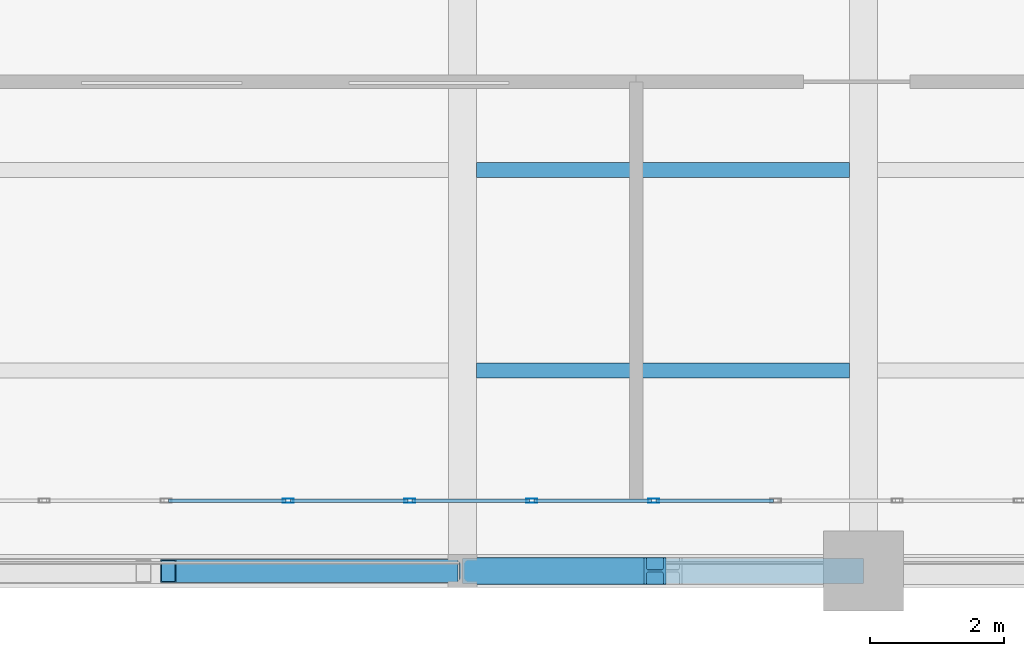
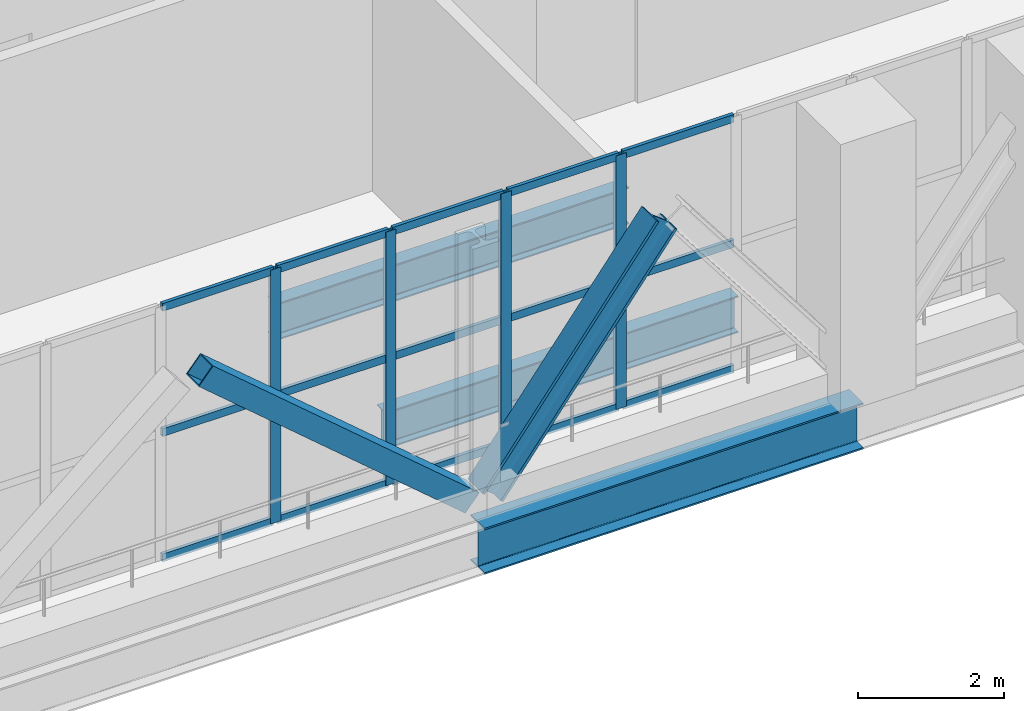
# One storey, part 12 of 27: 21 members, 3 beams, 1 element without a shape of its own.
"""IFC4 building model written with IfcOpenShell, lengths in metres."""

import ifcopenshell
import ifcopenshell.guid

model = None  # the IFC model being written
_history = None  # IfcOwnerHistory: only IFC2X3 demands one
_inside = {}  # id of a spatial element -> (the spatial element, [elements in it])
_under = {}  # id of a project, library or spatial element -> (it, [spatial elements below it])
_declared = {}  # id of a project -> (the project, [libraries it declares])
_typed = {}  # id of a type object -> (the type object, [elements of that type])
_made_of = {}  # id of a material, layer set ... -> (it, [elements and type objects made of it])


def new_model(schema):
    """Start an empty IFC model of exactly this schema.

    Asked for "IFC4X3", IfcOpenShell would pick the latest addendum, in which some entities
    have other attributes; the version numbers below select the first issue.
    IFC2X3 requires an IfcOwnerHistory on every rooted entity: one is made here for all.
    """
    global model, _history
    if schema == "IFC4X3":
        model = ifcopenshell.file(schema_version=(4, 3, 0, 0))
    else:
        model = ifcopenshell.file(schema=schema)
    _inside.clear()
    _under.clear()
    _declared.clear()
    _typed.clear()
    _made_of.clear()
    _history = None
    if model.schema == "IFC2X3":
        org = make("IfcOrganization", Name="unknown")
        user = make(
            "IfcPersonAndOrganization",
            ThePerson=make("IfcPerson", FamilyName="unknown"),
            TheOrganization=org,
        )
        app = make(
            "IfcApplication",
            ApplicationDeveloper=org,
            Version="unknown",
            ApplicationFullName="unknown",
            ApplicationIdentifier="unknown",
        )
        _history = make(
            "IfcOwnerHistory",
            OwningUser=user,
            OwningApplication=app,
            ChangeAction="ADDED",
            CreationDate=0,
        )
    return model


def make(cls, **values):
    """One entity of the class cls with the attributes given. An attribute that is None is left unset."""
    return model.create_entity(
        cls, **{name: value for name, value in values.items() if value is not None}
    )


def rooted(cls, **values):
    """An entity with a GlobalId (a new one), such as an element, a storey or a relation."""
    return make(cls, GlobalId=ifcopenshell.guid.new(), OwnerHistory=_history, **values)


def si_unit(unit_type, name, prefix=None):
    """IfcSIUnit, for example si_unit("LENGTHUNIT", "METRE", prefix="MILLI")."""
    return make("IfcSIUnit", UnitType=unit_type, Prefix=prefix, Name=name)


def assignment(units):
    """IfcUnitAssignment: the units of a project."""
    return None if units is None else make("IfcUnitAssignment", Units=units)


def point(xyz):
    """IfcCartesianPoint."""
    return None if xyz is None else make("IfcCartesianPoint", Coordinates=xyz)


def direction(xyz):
    """IfcDirection."""
    return None if xyz is None else make("IfcDirection", DirectionRatios=xyz)


def frame(location, z_axis=None, x_axis=None):
    """IfcAxis2Placement3D, a coordinate frame: its origin and axes. An axis left out is left unset."""
    return make(
        "IfcAxis2Placement3D",
        Location=point(location),
        Axis=direction(z_axis),
        RefDirection=direction(x_axis),
    )


def frame_2d(location, x_axis=None):
    """IfcAxis2Placement2D, a coordinate frame in the plane: its origin and x axis."""
    return make(
        "IfcAxis2Placement2D", Location=point(location), RefDirection=direction(x_axis)
    )


def origin():
    """The frame at (0, 0, 0) with its axes left unset."""
    return frame((0.0, 0.0, 0.0))


def origin_2d():
    """The frame at (0, 0) in the plane with its x axis left unset."""
    return frame_2d((0.0, 0.0))


def place(relative_to, where):
    """IfcLocalPlacement: puts the frame where relative to a parent placement (None: the world)."""
    return make(
        "IfcLocalPlacement", PlacementRelTo=relative_to, RelativePlacement=where
    )


def context(
    kind, dimensions, precision=None, world=None, true_north=None, identifier=None
):
    """IfcGeometricRepresentationContext, for example the 3D "Model" context."""
    return make(
        "IfcGeometricRepresentationContext",
        ContextIdentifier=identifier,
        ContextType=kind,
        CoordinateSpaceDimension=dimensions,
        Precision=precision,
        WorldCoordinateSystem=world,
        TrueNorth=true_north,
    )


def subcontext(parent, identifier, kind, view, scale=None):
    """IfcGeometricRepresentationSubContext, for example "Body" below "Model"."""
    return make(
        "IfcGeometricRepresentationSubContext",
        ContextIdentifier=identifier,
        ContextType=kind,
        ParentContext=parent,
        TargetScale=scale,
        TargetView=view,
    )


def project(units=None, contexts=None):
    """IfcProject with its units and contexts."""
    return rooted(
        "IfcProject",
        Name="project",
        RepresentationContexts=contexts,
        UnitsInContext=assignment(units),
    )


def spatial(cls, under=None, at=None, **own):
    """A site, building, storey or space (cls), placed at a placement, below another one or the project."""
    s = rooted(cls, ObjectPlacement=at, **own)
    if under is not None:
        _under.setdefault(under.id(), (under, []))[1].append(s)
    return s


def profile(cls, at=None, kind="AREA", **sizes):
    """A parametric profile (cls). Its sizes go by their IFC names, for example OverallWidth=200.0."""
    return make(cls, ProfileType=kind, Position=at, **sizes)


def hollow_rectangle(**sizes):
    """IfcRectangleHollowProfileDef."""
    return profile("IfcRectangleHollowProfileDef", **sizes)


def i_section(**sizes):
    """IfcIShapeProfileDef."""
    return profile("IfcIShapeProfileDef", **sizes)


def extrude(swept, where, along, depth):
    """IfcExtrudedAreaSolid: the profile swept, set in the frame where, extruded along a direction by depth."""
    return make(
        "IfcExtrudedAreaSolid",
        SweptArea=swept,
        Position=where,
        ExtrudedDirection=direction(along),
        Depth=depth,
    )


def shape(context_of_items, identifier, shape_type, items):
    """IfcShapeRepresentation: the items that make up one representation, for example the "Body"."""
    return make(
        "IfcShapeRepresentation",
        ContextOfItems=context_of_items,
        RepresentationIdentifier=identifier,
        RepresentationType=shape_type,
        Items=items,
    )


def material(Name=None, Category=None):
    """IfcMaterial."""
    return make("IfcMaterial", Name=Name, Category=Category)


def layer(
    of_material, thickness, ventilated=None, Name=None, Category=None, Priority=None
):
    """IfcMaterialLayer: one layer of a wall or slab, of a material (None: an air gap)."""
    return make(
        "IfcMaterialLayer",
        Material=of_material,
        LayerThickness=thickness,
        IsVentilated=ventilated,
        Name=Name,
        Category=Category,
        Priority=Priority,
    )


def layer_set(layers, Name=None):
    """IfcMaterialLayerSet."""
    return make("IfcMaterialLayerSet", MaterialLayers=layers, LayerSetName=Name)


def material_profile(
    of_material, cross_section, Name=None, Category=None, Priority=None
):
    """IfcMaterialProfile: a cross section and its material."""
    return make(
        "IfcMaterialProfile",
        Name=Name,
        Material=of_material,
        Profile=cross_section,
        Priority=Priority,
        Category=Category,
    )


def profile_set(profiles, Name=None, composite=None):
    """IfcMaterialProfileSet."""
    return make(
        "IfcMaterialProfileSet",
        Name=Name,
        MaterialProfiles=profiles,
        CompositeProfile=composite,
    )


def made_of(thing, what):
    """Note that an element or type object is made of a material, layer set ...; save() writes the relation."""
    if what is not None:
        _made_of.setdefault(what.id(), (what, []))[1].append(thing)
    return thing


def type_object(cls, material=None, **own):
    """A type object (cls), such as IfcWallType, which elements share."""
    return made_of(rooted(cls, **own), material)


def element(
    cls,
    number,
    at=None,
    inside=None,
    cuts=None,
    type_object=None,
    material=None,
    context=None,
    identifier="Body",
    shape_type=None,
    held_by="IfcProductDefinitionShape",
    body=None,
    shapes=None,
    **own,
):
    """One element of the class cls, such as IfcWall. Its Tag is "e" and its number.

    at: its placement. inside: the storey or other place that contains it. cuts: it is an
    opening in that element (IfcRelVoidsElement). A single representation is given by context,
    identifier, shape_type and body (its items); several are given by shapes. held_by: the class
    of the entity that holds the representations. save() writes the other relations.
    """
    e = rooted(cls, Tag="e%d" % number, ObjectPlacement=at, **own)
    if body is not None:
        shapes = [shape(context, identifier, shape_type, body)]
    if shapes is not None:
        e.Representation = make(held_by, Representations=shapes)
    if inside is not None:
        _inside.setdefault(inside.id(), (inside, []))[1].append(e)
    if cuts is not None:
        rooted(
            "IfcRelVoidsElement", RelatingBuildingElement=cuts, RelatedOpeningElement=e
        )
    if type_object is not None:
        _typed.setdefault(type_object.id(), (type_object, []))[1].append(e)
    return made_of(e, material)


def aggregate(whole, parts):
    """IfcRelAggregates: a whole, such as a stair, and the parts it consists of."""
    return rooted("IfcRelAggregates", RelatingObject=whole, RelatedObjects=parts)


def save(model, path):
    """Write the relations noted so far, then the file.

    IfcRelAggregates (storeys below a building ...), IfcRelContainedInSpatialStructure (elements
    in a storey), IfcRelDefinesByType, IfcRelAssociatesMaterial and IfcRelDeclares: one each for
    every whole, place, type object, material and project.
    """
    for whole, parts in _under.values():
        aggregate(whole, parts)
    for where, things in _inside.values():
        rooted(
            "IfcRelContainedInSpatialStructure",
            RelatedElements=things,
            RelatingStructure=where,
        )
    for kind, things in _typed.values():
        rooted("IfcRelDefinesByType", RelatedObjects=things, RelatingType=kind)
    for what, things in _made_of.values():
        rooted("IfcRelAssociatesMaterial", RelatedObjects=things, RelatingMaterial=what)
    for by, libraries in _declared.values():
        rooted("IfcRelDeclares", RelatingContext=by, RelatedDefinitions=libraries)
    model.write(path)


model = new_model("IFC4")

# Units and contexts
model_context = context("Model", 3, precision=1e-05, world=origin(), true_north=direction((0.0, 1.0)))
body_context = subcontext(model_context, "Body", "Model", "MODEL_VIEW")
ifc_project = project(units=[si_unit("LENGTHUNIT", "METRE"), si_unit("AREAUNIT", "SQUARE_METRE"), si_unit("VOLUMEUNIT", "CUBIC_METRE"), si_unit("PLANEANGLEUNIT", "RADIAN"), si_unit("MASSUNIT", "GRAM", prefix="KILO")], contexts=[model_context])

# Site, building, storey
site_placement = place(None, origin())
site = spatial("IfcSite", under=ifc_project, at=site_placement, CompositionType="ELEMENT")
building_placement = place(site_placement, origin())
building = spatial("IfcBuilding", under=site, at=building_placement, Name="Mawjdan Bourse Tower", CompositionType="ELEMENT")
storey_placement = place(building_placement, frame((0.0, 0.0, 84.60009765625)))
storey = spatial("IfcBuildingStorey", under=building, at=storey_placement, Name="L19", CompositionType="ELEMENT", Elevation=84.60009765625)

# Members
ifc_material_1 = material(Name="Structural Steel S460", Category="steel")
ifc_material_profile_1 = material_profile(ifc_material_1, hollow_rectangle(XDim=0.35009765625, YDim=0.35009765625, WallThickness=0.01611328125, at=origin_2d()), Name="HSS350X350X16")
ifc_profile_set_1 = profile_set([ifc_material_profile_1], Name="Structural Steel S460")
member_type_1 = type_object("IfcMemberType", Name="BRC-HSS350X350X16", PredefinedType="BRACE", material=ifc_profile_set_1)
member_1_placement = place(storey_placement, frame((37.595947265625, 3.0, 3.7998046875), z_axis=(0.760829478047, 0.0, -0.648951851322), x_axis=(0.0, 1.0, 0.0)))
element("IfcMember", 1, at=member_1_placement, inside=storey, type_object=member_type_1, Name="L19 East Outrigger Truss 1 Diagonal 4", PredefinedType="BRACE", context=body_context, shape_type="SweptSolid", body=[
    extrude(hollow_rectangle(XDim=0.35009765625, YDim=0.35009765625, WallThickness=0.01611328125, at=origin_2d()), origin(), (0.0, 0.0, 1.0), 5.547119140625),
])
ifc_material_profile_2 = material_profile(ifc_material_1, i_section(OverallWidth=0.406005859375, OverallDepth=0.416015625, WebThickness=0.02978515625, FlangeThickness=0.048095703125, FilletRadius=0.038330078125, at=origin_2d()), Name="W14X257")
ifc_profile_set_2 = profile_set([ifc_material_profile_2], Name="Structural Steel S460")
member_type_2 = type_object("IfcMemberType", Name="BRC-W14X257", PredefinedType="BRACE", material=ifc_profile_set_2)
member_2_placement = place(storey_placement, frame((42.1201171875, 3.0, 0.199951171875), z_axis=(0.608414594375, 0.0, 0.793619355454), x_axis=(0.0, 1.0, 0.0)))
element("IfcMember", 2, at=member_2_placement, inside=storey, type_object=member_type_2, Name="L19 South Perimeter Belt Truss Diagonal 1", PredefinedType="BRACE", context=body_context, shape_type="SweptSolid", body=[
    extrude(i_section(OverallWidth=0.406005859375, OverallDepth=0.416015625, WebThickness=0.02978515625, FlangeThickness=0.048095703125, FilletRadius=0.038330078125, at=origin_2d()), origin(), (0.0, 0.0, 1.0), 4.535888671875),
])

# Beams
ifc_material_2 = material(Name="Structural Steel S355", Category="steel")
ifc_material_profile_3 = material_profile(ifc_material_2, i_section(OverallWidth=0.22998046875, OverallDepth=0.616943359375, WebThickness=0.01318359375, FlangeThickness=0.022216796875, FilletRadius=0.017822265625, at=origin_2d()), Name="W24X94")
ifc_profile_set_3 = profile_set([ifc_material_profile_3], Name="Structural Steel S355")
beam_type_1 = type_object("IfcBeamType", Name="JST-W24X94", PredefinedType="JOIST", material=ifc_profile_set_3)
for number, where, z_axis, x_axis, name in (
    (3, (42.20703125, 6.0, -0.588623046875), (1.0, 0.0, 0.0), (0.0, 1.0, 0.0), "L19 East Wing Composite Joist 025"),
    (4, (42.20703125, 9.0, -0.588623046875), (1.0, 0.0, 0.0), (0.0, 1.0, 0.0), "L19 East Wing Composite Joist 032"),
):
    element("IfcBeam", number, at=place(storey_placement, frame(where, z_axis=z_axis, x_axis=x_axis)), inside=storey, type_object=beam_type_1, Name=name, PredefinedType="JOIST", context=body_context, shape_type="SweptSolid", body=[
        extrude(i_section(OverallWidth=0.22998046875, OverallDepth=0.616943359375, WebThickness=0.01318359375, FlangeThickness=0.022216796875, FilletRadius=0.017822265625, at=origin_2d()), origin(), (0.0, 0.0, 1.0), 5.5859375),
    ])

# Curtain wall, members
ifc_material_3 = material(Name="Thermally Broken Aluminium and Solar Glass", Category="aluminium")
ifc_layer = layer(ifc_material_3, 0.219970703125)
ifc_layer_set = layer_set([ifc_layer], Name="Thermally Broken Aluminium and Solar Glass")
curtain_wall_type = type_object("IfcCurtainWallType", Name="CW-RFG", PredefinedType="USERDEFINED", material=ifc_layer_set)
curtain_wall_placement = place(storey_placement, origin())
curtain_wall = element("IfcCurtainWall", 5, at=curtain_wall_placement, inside=storey, type_object=curtain_wall_type, Name="L19 Refuge Band South Louvre Curtain Wall", ObjectType="REFUGE BAND LOUVRE SCREEN", PredefinedType="USERDEFINED")
ifc_material_4 = material(Name="Thermally Broken Anodised Aluminium", Category="aluminium")
ifc_material_profile_4 = material_profile(ifc_material_4, hollow_rectangle(XDim=0.06494140625, YDim=0.1650390625, WallThickness=0.00390625, at=origin_2d()), Name="ALU-MUL-165X65")
ifc_profile_set_4 = profile_set([ifc_material_profile_4], Name="Thermally Broken Anodised Aluminium")
member_type_3 = type_object("IfcMemberType", Name="MUL-ALU-MUL-165X65", PredefinedType="MULLION", material=ifc_profile_set_4)
member_3_placement = place(storey_placement, frame((39.390380859375, 4.050048828125, 0.0), z_axis=(0.0, 0.0, 1.0), x_axis=(0.0, 1.0, 0.0)))
member_3 = element("IfcMember", 6, at=member_3_placement, type_object=member_type_3, Name="CW-RFG-L19-RFG-S mullion 9", PredefinedType="MULLION", context=body_context, shape_type="SweptSolid", body=[
    extrude(hollow_rectangle(XDim=0.06494140625, YDim=0.1650390625, WallThickness=0.00390625, at=origin_2d()), origin(), (0.0, 0.0, 1.0), 4.25),
])
member_4_placement = place(storey_placement, frame((41.21435546875, 4.050048828125, 0.0), z_axis=(0.0, 0.0, 1.0), x_axis=(0.0, 1.0, 0.0)))
member_4 = element("IfcMember", 7, at=member_4_placement, type_object=member_type_3, Name="CW-RFG-L19-RFG-S mullion 10", PredefinedType="MULLION", context=body_context, shape_type="SweptSolid", body=[
    extrude(hollow_rectangle(XDim=0.06494140625, YDim=0.1650390625, WallThickness=0.00390625, at=origin_2d()), origin(), (0.0, 0.0, 1.0), 4.25),
])
member_5_placement = place(storey_placement, frame((43.0380859375, 4.050048828125, 0.0), z_axis=(0.0, 0.0, 1.0), x_axis=(0.0, 1.0, 0.0)))
member_5 = element("IfcMember", 8, at=member_5_placement, type_object=member_type_3, Name="CW-RFG-L19-RFG-S mullion 11", PredefinedType="MULLION", context=body_context, shape_type="SweptSolid", body=[
    extrude(hollow_rectangle(XDim=0.06494140625, YDim=0.1650390625, WallThickness=0.00390625, at=origin_2d()), origin(), (0.0, 0.0, 1.0), 4.25),
])
member_6_placement = place(storey_placement, frame((44.86181640625, 4.050048828125, 0.0), z_axis=(0.0, 0.0, 1.0), x_axis=(0.0, 1.0, 0.0)))
member_6 = element("IfcMember", 9, at=member_6_placement, type_object=member_type_3, Name="CW-RFG-L19-RFG-S mullion 12", PredefinedType="MULLION", context=body_context, shape_type="SweptSolid", body=[
    extrude(hollow_rectangle(XDim=0.06494140625, YDim=0.1650390625, WallThickness=0.00390625, at=origin_2d()), origin(), (0.0, 0.0, 1.0), 4.25),
])

# Beam
ifc_material_profile_5 = material_profile(ifc_material_2, i_section(OverallWidth=0.381103515625, OverallDepth=0.77294921875, WebThickness=0.0166015625, FlangeThickness=0.027099609375, FilletRadius=0.021728515625, at=origin_2d()), Name="W30X173")
ifc_profile_set_5 = profile_set([ifc_material_profile_5], Name="Structural Steel S355")
beam_type_2 = type_object("IfcBeamType", Name="SPN-W30X173", PredefinedType="SPANDREL", material=ifc_profile_set_5)
beam_placement = place(storey_placement, frame((42.0, 3.0, -0.66650390625), z_axis=(1.0, 0.0, 0.0), x_axis=(0.0, 1.0, 0.0)))
element("IfcBeam", 10, at=beam_placement, inside=storey, type_object=beam_type_2, Name="L19 Perimeter Masonry-Shelf Spandrel 011", PredefinedType="SPANDREL", context=body_context, shape_type="SweptSolid", body=[
    extrude(i_section(OverallWidth=0.381103515625, OverallDepth=0.77294921875, WebThickness=0.0166015625, FlangeThickness=0.027099609375, FilletRadius=0.021728515625, at=origin_2d()), origin(), (0.0, 0.0, 1.0), 6.0),
])

# Member
ifc_material_profile_6 = material_profile(ifc_material_4, hollow_rectangle(XDim=0.054931640625, YDim=0.1298828125, WallThickness=0.00341796875, at=origin_2d()), Name="ALU-TRN-130X55")
ifc_profile_set_6 = profile_set([ifc_material_profile_6], Name="Thermally Broken Anodised Aluminium")
member_type_4 = type_object("IfcMemberType", Name="TRN-ALU-TRN-130X55", PredefinedType="USERDEFINED", material=ifc_profile_set_6)
member_7_placement = place(storey_placement, frame((37.59912109375, 4.050048828125, 0.02734375), z_axis=(1.0, 0.0, 0.0), x_axis=(0.0, 1.0, 0.0)))
member_7 = element("IfcMember", 11, at=member_7_placement, type_object=member_type_4, Name="CW-RFG-L19-RFG-S transom 8.1", ObjectType="TRANSOM", PredefinedType="USERDEFINED", context=body_context, shape_type="SweptSolid", body=[
    extrude(hollow_rectangle(XDim=0.054931640625, YDim=0.1298828125, WallThickness=0.00341796875, at=origin_2d()), origin(), (0.0, 0.0, 1.0), 1.7587890625),
])

member_8_placement = place(storey_placement, frame((37.59912109375, 4.050048828125, 2.125), z_axis=(1.0, 0.0, 0.0), x_axis=(0.0, 1.0, 0.0)))
member_8 = element("IfcMember", 12, at=member_8_placement, type_object=member_type_4, Name="CW-RFG-L19-RFG-S transom 8.2", ObjectType="TRANSOM", PredefinedType="USERDEFINED", context=body_context, shape_type="SweptSolid", body=[
    extrude(hollow_rectangle(XDim=0.054931640625, YDim=0.1298828125, WallThickness=0.00341796875, at=origin_2d()), origin(), (0.0, 0.0, 1.0), 1.7587890625),
])

member_9_placement = place(storey_placement, frame((37.59912109375, 4.050048828125, 4.222412109375), z_axis=(1.0, 0.0, 0.0), x_axis=(0.0, 1.0, 0.0)))
member_9 = element("IfcMember", 13, at=member_9_placement, type_object=member_type_4, Name="CW-RFG-L19-RFG-S transom 8.3", ObjectType="TRANSOM", PredefinedType="USERDEFINED", context=body_context, shape_type="SweptSolid", body=[
    extrude(hollow_rectangle(XDim=0.054931640625, YDim=0.1298828125, WallThickness=0.00341796875, at=origin_2d()), origin(), (0.0, 0.0, 1.0), 1.7587890625),
])

member_10_placement = place(storey_placement, frame((39.423095703125, 4.050048828125, 0.02734375), z_axis=(1.0, 0.0, 0.0), x_axis=(0.0, 1.0, 0.0)))
member_10 = element("IfcMember", 14, at=member_10_placement, type_object=member_type_4, Name="CW-RFG-L19-RFG-S transom 9.1", ObjectType="TRANSOM", PredefinedType="USERDEFINED", context=body_context, shape_type="SweptSolid", body=[
    extrude(hollow_rectangle(XDim=0.054931640625, YDim=0.1298828125, WallThickness=0.00341796875, at=origin_2d()), origin(), (0.0, 0.0, 1.0), 1.7587890625),
])

member_11_placement = place(storey_placement, frame((39.423095703125, 4.050048828125, 2.125), z_axis=(1.0, 0.0, 0.0), x_axis=(0.0, 1.0, 0.0)))
member_11 = element("IfcMember", 15, at=member_11_placement, type_object=member_type_4, Name="CW-RFG-L19-RFG-S transom 9.2", ObjectType="TRANSOM", PredefinedType="USERDEFINED", context=body_context, shape_type="SweptSolid", body=[
    extrude(hollow_rectangle(XDim=0.054931640625, YDim=0.1298828125, WallThickness=0.00341796875, at=origin_2d()), origin(), (0.0, 0.0, 1.0), 1.7587890625),
])

member_12_placement = place(storey_placement, frame((39.423095703125, 4.050048828125, 4.222412109375), z_axis=(1.0, 0.0, 0.0), x_axis=(0.0, 1.0, 0.0)))
member_12 = element("IfcMember", 16, at=member_12_placement, type_object=member_type_4, Name="CW-RFG-L19-RFG-S transom 9.3", ObjectType="TRANSOM", PredefinedType="USERDEFINED", context=body_context, shape_type="SweptSolid", body=[
    extrude(hollow_rectangle(XDim=0.054931640625, YDim=0.1298828125, WallThickness=0.00341796875, at=origin_2d()), origin(), (0.0, 0.0, 1.0), 1.7587890625),
])

member_13_placement = place(storey_placement, frame((41.246826171875, 4.050048828125, 0.02734375), z_axis=(1.0, 0.0, 0.0), x_axis=(0.0, 1.0, 0.0)))
member_13 = element("IfcMember", 17, at=member_13_placement, type_object=member_type_4, Name="CW-RFG-L19-RFG-S transom 10.1", ObjectType="TRANSOM", PredefinedType="USERDEFINED", context=body_context, shape_type="SweptSolid", body=[
    extrude(hollow_rectangle(XDim=0.054931640625, YDim=0.1298828125, WallThickness=0.00341796875, at=origin_2d()), origin(), (0.0, 0.0, 1.0), 1.7587890625),
])

member_14_placement = place(storey_placement, frame((41.246826171875, 4.050048828125, 2.125), z_axis=(1.0, 0.0, 0.0), x_axis=(0.0, 1.0, 0.0)))
member_14 = element("IfcMember", 18, at=member_14_placement, type_object=member_type_4, Name="CW-RFG-L19-RFG-S transom 10.2", ObjectType="TRANSOM", PredefinedType="USERDEFINED", context=body_context, shape_type="SweptSolid", body=[
    extrude(hollow_rectangle(XDim=0.054931640625, YDim=0.1298828125, WallThickness=0.00341796875, at=origin_2d()), origin(), (0.0, 0.0, 1.0), 1.7587890625),
])

member_15_placement = place(storey_placement, frame((41.246826171875, 4.050048828125, 4.222412109375), z_axis=(1.0, 0.0, 0.0), x_axis=(0.0, 1.0, 0.0)))
member_15 = element("IfcMember", 19, at=member_15_placement, type_object=member_type_4, Name="CW-RFG-L19-RFG-S transom 10.3", ObjectType="TRANSOM", PredefinedType="USERDEFINED", context=body_context, shape_type="SweptSolid", body=[
    extrude(hollow_rectangle(XDim=0.054931640625, YDim=0.1298828125, WallThickness=0.00341796875, at=origin_2d()), origin(), (0.0, 0.0, 1.0), 1.7587890625),
])

member_16_placement = place(storey_placement, frame((43.070556640625, 4.050048828125, 0.02734375), z_axis=(1.0, 0.0, 0.0), x_axis=(0.0, 1.0, 0.0)))
member_16 = element("IfcMember", 20, at=member_16_placement, type_object=member_type_4, Name="CW-RFG-L19-RFG-S transom 11.1", ObjectType="TRANSOM", PredefinedType="USERDEFINED", context=body_context, shape_type="SweptSolid", body=[
    extrude(hollow_rectangle(XDim=0.054931640625, YDim=0.1298828125, WallThickness=0.00341796875, at=origin_2d()), origin(), (0.0, 0.0, 1.0), 1.7587890625),
])

member_17_placement = place(storey_placement, frame((43.070556640625, 4.050048828125, 2.125), z_axis=(1.0, 0.0, 0.0), x_axis=(0.0, 1.0, 0.0)))
member_17 = element("IfcMember", 21, at=member_17_placement, type_object=member_type_4, Name="CW-RFG-L19-RFG-S transom 11.2", ObjectType="TRANSOM", PredefinedType="USERDEFINED", context=body_context, shape_type="SweptSolid", body=[
    extrude(hollow_rectangle(XDim=0.054931640625, YDim=0.1298828125, WallThickness=0.00341796875, at=origin_2d()), origin(), (0.0, 0.0, 1.0), 1.7587890625),
])

member_18_placement = place(storey_placement, frame((43.070556640625, 4.050048828125, 4.222412109375), z_axis=(1.0, 0.0, 0.0), x_axis=(0.0, 1.0, 0.0)))
member_18 = element("IfcMember", 22, at=member_18_placement, type_object=member_type_4, Name="CW-RFG-L19-RFG-S transom 11.3", ObjectType="TRANSOM", PredefinedType="USERDEFINED", context=body_context, shape_type="SweptSolid", body=[
    extrude(hollow_rectangle(XDim=0.054931640625, YDim=0.1298828125, WallThickness=0.00341796875, at=origin_2d()), origin(), (0.0, 0.0, 1.0), 1.7587890625),
])

member_19_placement = place(storey_placement, frame((44.894287109375, 4.050048828125, 0.02734375), z_axis=(1.0, 0.0, 0.0), x_axis=(0.0, 1.0, 0.0)))
member_19 = element("IfcMember", 23, at=member_19_placement, type_object=member_type_4, Name="CW-RFG-L19-RFG-S transom 12.1", ObjectType="TRANSOM", PredefinedType="USERDEFINED", context=body_context, shape_type="SweptSolid", body=[
    extrude(hollow_rectangle(XDim=0.054931640625, YDim=0.1298828125, WallThickness=0.00341796875, at=origin_2d()), origin(), (0.0, 0.0, 1.0), 1.759033203125),
])

member_20_placement = place(storey_placement, frame((44.894287109375, 4.050048828125, 2.125), z_axis=(1.0, 0.0, 0.0), x_axis=(0.0, 1.0, 0.0)))
member_20 = element("IfcMember", 24, at=member_20_placement, type_object=member_type_4, Name="CW-RFG-L19-RFG-S transom 12.2", ObjectType="TRANSOM", PredefinedType="USERDEFINED", context=body_context, shape_type="SweptSolid", body=[
    extrude(hollow_rectangle(XDim=0.054931640625, YDim=0.1298828125, WallThickness=0.00341796875, at=origin_2d()), origin(), (0.0, 0.0, 1.0), 1.759033203125),
])

member_21_placement = place(storey_placement, frame((44.894287109375, 4.050048828125, 4.222412109375), z_axis=(1.0, 0.0, 0.0), x_axis=(0.0, 1.0, 0.0)))
member_21 = element("IfcMember", 25, at=member_21_placement, type_object=member_type_4, Name="CW-RFG-L19-RFG-S transom 12.3", ObjectType="TRANSOM", PredefinedType="USERDEFINED", context=body_context, shape_type="SweptSolid", body=[
    extrude(hollow_rectangle(XDim=0.054931640625, YDim=0.1298828125, WallThickness=0.00341796875, at=origin_2d()), origin(), (0.0, 0.0, 1.0), 1.759033203125),
])

aggregate(curtain_wall, [member_3, member_4, member_5, member_6, member_7, member_8, member_9, member_10, member_11, member_12, member_13, member_14, member_15, member_16, member_17, member_18, member_19, member_20, member_21])

save(model, "model.ifc")
